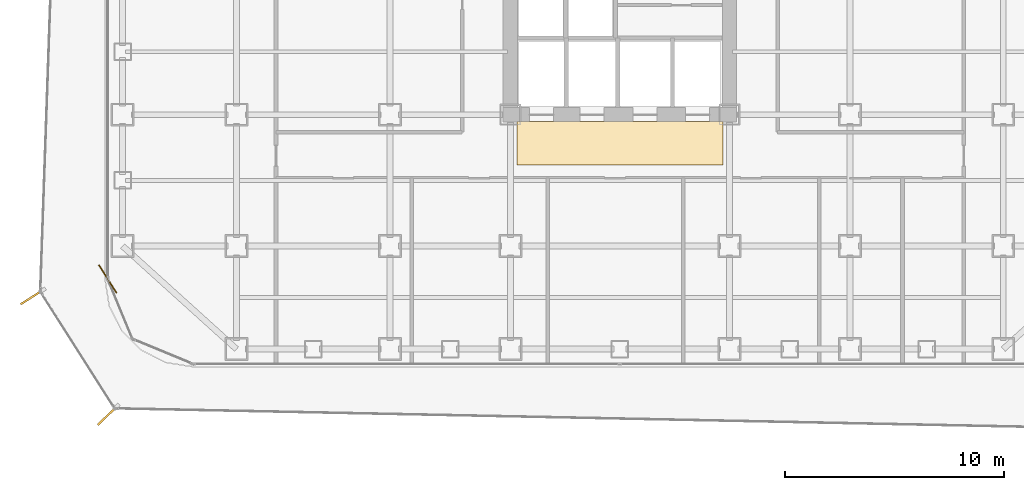
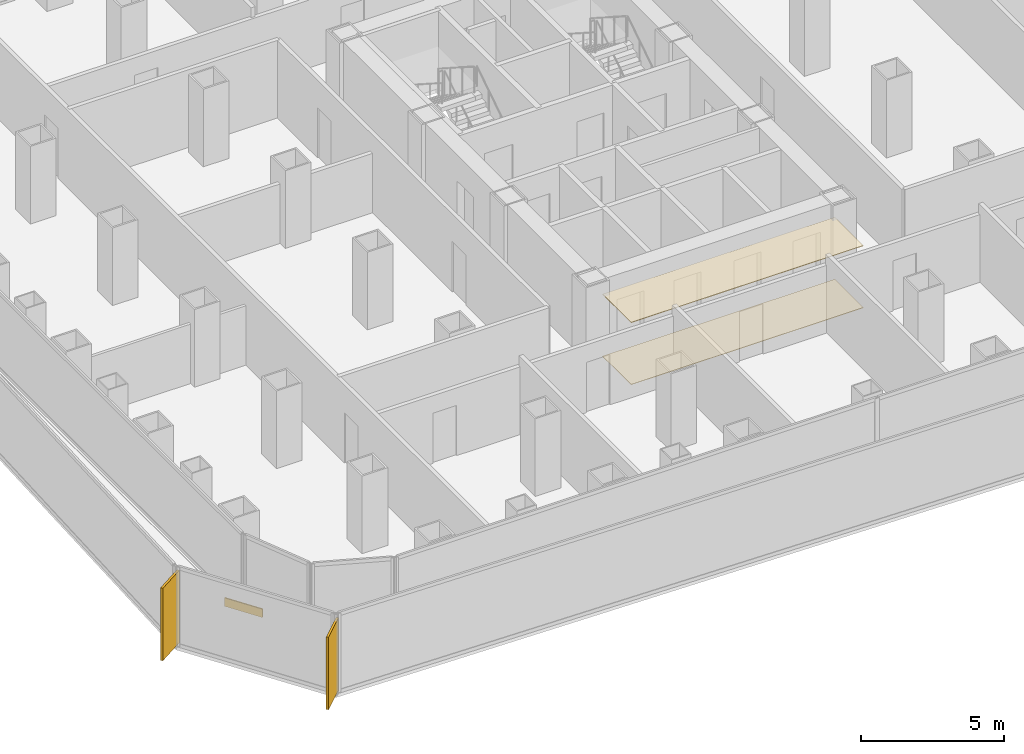
# One storey, part 20 of 22: 3 coverings, 2 shading devices.
"""IFC4 building model written with IfcOpenShell, lengths in metres."""

from ifc_helpers import new_model, si_unit, direction, frame, origin, origin_2d, place, context, subcontext, project, spatial, polyline, rectangle, outline, extrude, source, transform, mapped, material, layer, layer_set, type_object, element, save


model = new_model("IFC4")

# Units and contexts
model_context = context("Model", 3, precision=1e-05, world=origin(), true_north=direction((0.0, 1.0)))
body_context = subcontext(model_context, "Body", "Model", "MODEL_VIEW")
ifc_project = project(units=[si_unit("LENGTHUNIT", "METRE"), si_unit("AREAUNIT", "SQUARE_METRE"), si_unit("VOLUMEUNIT", "CUBIC_METRE"), si_unit("PLANEANGLEUNIT", "RADIAN"), si_unit("MASSUNIT", "GRAM", prefix="KILO")], contexts=[model_context])

# Site, building, storey
site_placement = place(None, origin())
site = spatial("IfcSite", under=ifc_project, at=site_placement, CompositionType="ELEMENT")
building_placement = place(site_placement, origin())
building = spatial("IfcBuilding", under=site, at=building_placement, Name="Kolveth Station Tower", CompositionType="ELEMENT")
storey_placement = place(building_placement, frame((0.0, 0.0, 65.699951171875)))
storey = spatial("IfcBuildingStorey", under=building, at=storey_placement, Name="L17", CompositionType="ELEMENT", Elevation=65.699951171875)

# Coverings
ifc_material_1 = material(Name="Acoustic mineral-fibre ceiling tile")
ifc_layer_1 = layer(ifc_material_1, 0.02490234375)
ifc_layer_set_1 = layer_set([ifc_layer_1], Name="Acoustic mineral-fibre ceiling tile")
covering_type_1 = type_object("IfcCoveringType", Name="Ceil_CL1", PredefinedType="CEILING", material=ifc_layer_set_1)
covering_1_placement = place(storey_placement, frame((0.0, 0.0, 2.650146484375)))
element("IfcCovering", 1, at=covering_1_placement, inside=storey, type_object=covering_type_1, Name="L17 Lift Lobby Suspended Ceiling", PredefinedType="CEILING", context=body_context, shape_type="SweptSolid", body=[
    extrude(outline(polyline([(18.800048828125, 9.199951171875), (28.199951171875, 9.199951171875), (28.199951171875, 11.199951171875), (18.800048828125, 11.199951171875), (18.800048828125, 9.199951171875)])), origin(), (0.0, 0.0, 1.0), 0.02490234375),
])
ifc_material_2 = material(Name="Honed terrazzo flooring")
ifc_layer_2 = layer(ifc_material_2, 0.02001953125)
ifc_layer_set_2 = layer_set([ifc_layer_2], Name="Honed terrazzo flooring")
covering_type_2 = type_object("IfcCoveringType", Name="Floor_FL1", PredefinedType="FLOORING", material=ifc_layer_set_2)
covering_2_placement = place(storey_placement, origin())
element("IfcCovering", 2, at=covering_2_placement, inside=storey, type_object=covering_type_2, Name="L17 Lift Lobby Floor Finish", PredefinedType="FLOORING", context=body_context, shape_type="SweptSolid", body=[
    extrude(outline(polyline([(18.800048828125, 9.199951171875), (28.199951171875, 9.199951171875), (28.199951171875, 11.199951171875), (18.800048828125, 11.199951171875), (18.800048828125, 9.199951171875)])), origin(), (0.0, 0.0, 1.0), 0.02001953125),
])

# Shading devices
ifc_material_3 = material(Name="Black anodized aluminium 6063-T6", Category="aluminium")
shading_device_type = type_object("IfcShadingDeviceType", Name="FIN_VF1", PredefinedType="USERDEFINED", material=ifc_material_3)
shared_shape_1 = source(origin(), body_context, "Body", "SweptSolid", [
    extrude(rectangle(XDim=1.25, YDim=0.090087890625, at=origin_2d()), origin(), (0.0, 0.0, 1.0), 3.10009765625),
])
for number, where, z_axis, x_axis, name in (
    (3, (-3.3330078125, 3.177978515625, 0.0), (0.0, 0.0, 1.0), (-0.843672659607, -0.536857935987, 0.0), "L17 Dark-Aluminium Solar Fin 7"),
    (4, (0.117919921875, -2.22412109375, 0.0), (0.0, 0.0, 1.0), (-0.72091407724, -0.693024453563, 0.0), "L17 Dark-Aluminium Solar Fin 8"),
):
    element("IfcShadingDevice", number, at=place(storey_placement, frame(where, z_axis=z_axis, x_axis=x_axis)), inside=storey, type_object=shading_device_type, Name=name, ObjectType="FIN", PredefinedType="USERDEFINED", context=body_context, shape_type="MappedRepresentation", body=[
        mapped(shared_shape_1, transform((0.0, 0.0, 0.0), x_axis=(1.0, 0.0, 0.0), y_axis=(0.0, 1.0, 0.0), z_axis=(0.0, 0.0, 1.0), scale=1.0)),
    ])

# Covering
ifc_material_4 = material(Name="Charcoal anodized aluminium spandrel cladding", Category="aluminium")
ifc_layer_3 = layer(ifc_material_4, 0.044921875)
ifc_layer_set_3 = layer_set([ifc_layer_3], Name="Charcoal anodized aluminium spandrel cladding")
covering_type_3 = type_object("IfcCoveringType", Name="Clad_CD1", PredefinedType="CLADDING", material=ifc_layer_set_3)
shared_shape_2 = source(origin(), body_context, "Body", "SweptSolid", [
    extrude(rectangle(XDim=1.5, YDim=0.044921875, at=origin_2d()), origin(), (0.0, 0.0, 1.0), 0.360107421875),
])
covering_3_placement = place(storey_placement, frame((0.1201171875, 4.0, 0.0), z_axis=(0.0, 0.0, 1.0), x_axis=(0.536857935987, -0.843672659607, 0.0)))
element("IfcCovering", 5, at=covering_3_placement, inside=storey, type_object=covering_type_3, Name="L17 Spandrel Edge Cladding 7", PredefinedType="CLADDING", context=body_context, shape_type="MappedRepresentation", body=[
    mapped(shared_shape_2, transform((0.0, 0.0, 0.0), x_axis=(1.0, 0.0, 0.0), y_axis=(0.0, 1.0, 0.0), z_axis=(0.0, 0.0, 1.0), scale=1.0)),
])

save(model, "model.ifc")
